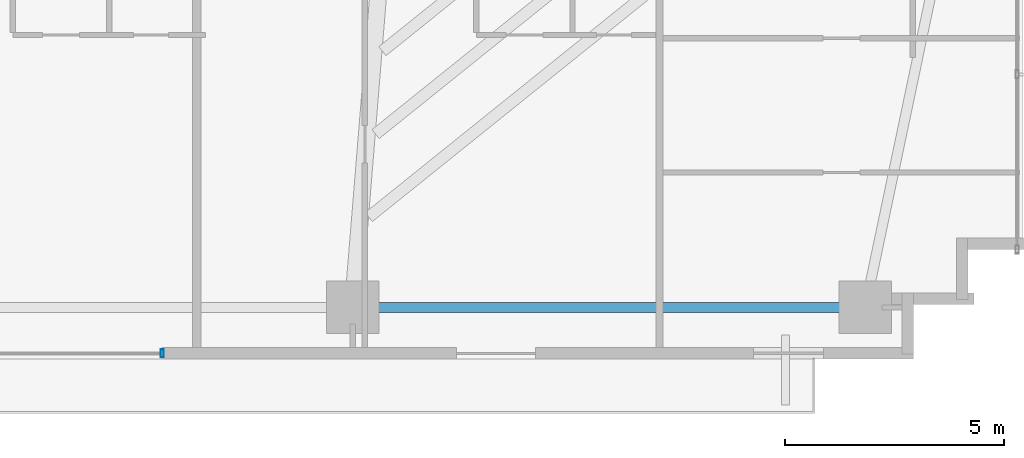
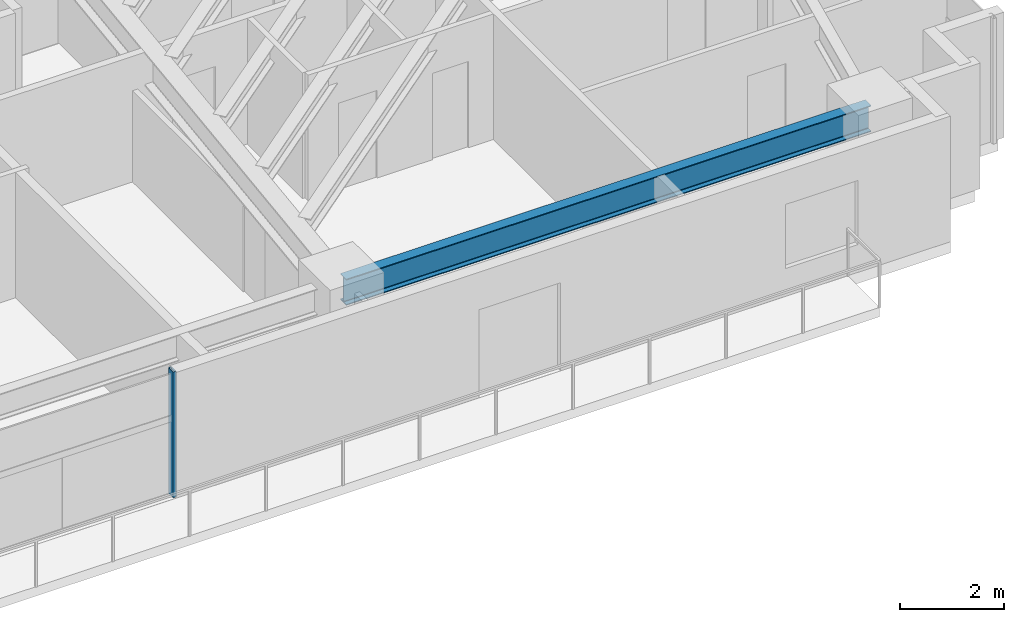
# One storey, part 12 of 25: 1 beam, 1 member, 1 element without a shape of its own.
"""IFC4 building model written with IfcOpenShell, lengths in metres."""

from ifc_helpers import new_model, si_unit, direction, frame, origin, origin_2d, place, context, subcontext, project, spatial, hollow_rectangle, i_section, extrude, source, transform, mapped, material, material_profile, profile_set, type_object, type_shapes, element, aggregate, save


model = new_model("IFC4")

# Units and contexts
model_context = context("Model", 3, precision=1e-05, world=origin(), true_north=direction((0.0, 1.0)))
body_context = subcontext(model_context, "Body", "Model", "MODEL_VIEW")
ifc_project = project(units=[si_unit("LENGTHUNIT", "METRE"), si_unit("AREAUNIT", "SQUARE_METRE"), si_unit("VOLUMEUNIT", "CUBIC_METRE"), si_unit("PLANEANGLEUNIT", "RADIAN"), si_unit("MASSUNIT", "GRAM", prefix="KILO")], contexts=[model_context])

# Site, building, storey
site_placement = place(None, origin())
site = spatial("IfcSite", under=ifc_project, at=site_placement, CompositionType="ELEMENT")
building_placement = place(site_placement, origin())
building = spatial("IfcBuilding", under=site, at=building_placement, Name="Astriad Promenade Condominiums", CompositionType="ELEMENT")
storey_placement = place(building_placement, frame((0.0, 0.0, 58.199951171875)))
storey = spatial("IfcBuildingStorey", under=building, at=storey_placement, Name="L16", CompositionType="ELEMENT", Elevation=58.199951171875)

# Beam
ifc_material_1 = material(Name="Steel ASTM A992 Grade 50", Category="steel")
ifc_material_profile_1 = material_profile(ifc_material_1, i_section(OverallWidth=0.22900390625, OverallDepth=0.612060546875, WebThickness=0.011962890625, FlangeThickness=0.01953125, FilletRadius=0.017822265625, at=origin_2d()), Name="W24X84")
ifc_profile_set_1 = profile_set([ifc_material_profile_1], Name="Steel ASTM A992 Grade 50")
beam_type = type_object("IfcBeamType", Name="STEEL SPANDREL BEAM W24X84", PredefinedType="SPANDREL", material=ifc_profile_set_1)
shared_shape_1 = source(origin(), body_context, "Body", "SweptSolid", [
    extrude(i_section(OverallWidth=0.22900390625, OverallDepth=0.612060546875, WebThickness=0.011962890625, FlangeThickness=0.01953125, FilletRadius=0.017822265625, at=origin_2d()), origin(), (0.0, 0.0, 1.0), 11.619873046875),
])
type_shapes(beam_type, [shared_shape_1])
beam_placement = place(storey_placement, frame((44.5400390625, 3.8798828125, 2.634033203125), z_axis=(1.0, 0.0, 0.0), x_axis=(0.0, 1.0, 0.0)))
element("IfcBeam", 1, at=beam_placement, inside=storey, type_object=beam_type, Name="Perimeter Spandrel Beam SP-S4-L16", PredefinedType="SPANDREL", context=body_context, shape_type="MappedRepresentation", body=[
    mapped(shared_shape_1, transform((0.0, 0.0, 0.0), scale=1.0)),
])

# Curtain wall, member
ifc_material_2 = material(Name="Anodised aluminium Black Dark Glass Unitised", Category="aluminium")
curtain_wall_type = type_object("IfcCurtainWallType", Name="CW-B1-DARK", PredefinedType="USERDEFINED", material=ifc_material_2)
curtain_wall_placement = place(storey_placement, origin())
curtain_wall = element("IfcCurtainWall", 2, at=curtain_wall_placement, inside=storey, type_object=curtain_wall_type, Name="CW-L16-S", ObjectType="UNITISED_CURTAIN_WALL", PredefinedType="USERDEFINED")
ifc_material_3 = material(Name="Anodised aluminium 6063-T6 Black", Category="aluminium")
ifc_material_profile_2 = material_profile(ifc_material_3, hollow_rectangle(XDim=0.074951171875, YDim=0.18505859375, WallThickness=0.00439453125, at=origin_2d()), Name="ALU-MUL-75X185")
ifc_profile_set_2 = profile_set([ifc_material_profile_2], Name="Anodised aluminium 6063-T6 Black")
member_type = type_object("IfcMemberType", Name="MUL-ALU-MUL-75X185", PredefinedType="MULLION", material=ifc_profile_set_2)
shared_shape_2 = source(origin(), body_context, "Body", "SweptSolid", [
    extrude(hollow_rectangle(XDim=0.074951171875, YDim=0.18505859375, WallThickness=0.00439453125, at=origin_2d()), origin(), (0.0, 0.0, 1.0), 2.93994140625),
])
type_shapes(member_type, [shared_shape_2])
member_placement = place(storey_placement, frame((40.14990234375, 2.830078125, 0.0), z_axis=(0.0, 0.0, 1.0), x_axis=(1.0, 0.0, 0.0)))
member = element("IfcMember", 3, at=member_placement, type_object=member_type, Name="CW-L16-S-MUL-00", PredefinedType="MULLION", context=body_context, shape_type="MappedRepresentation", body=[
    mapped(shared_shape_2, transform((0.0, 0.0, 0.0), scale=1.0)),
])
aggregate(curtain_wall, [member])

save(model, "model.ifc")
